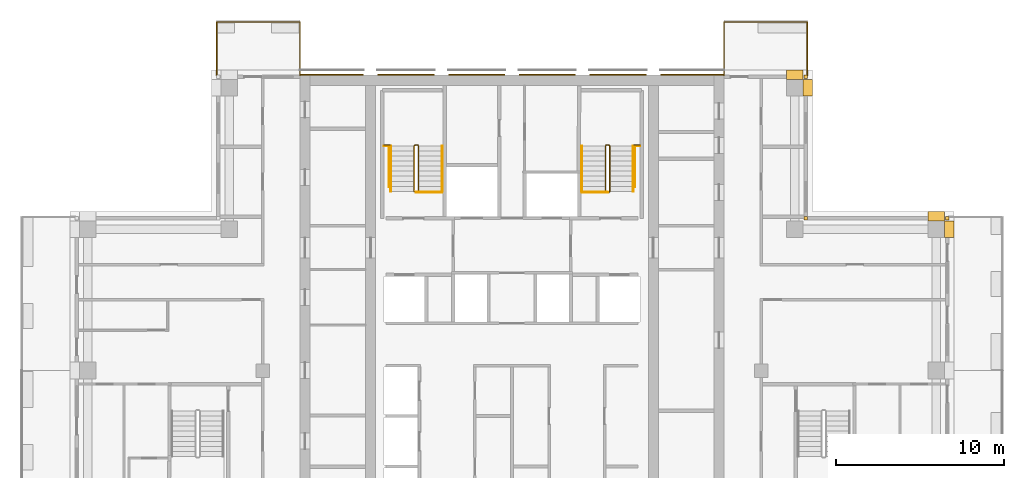
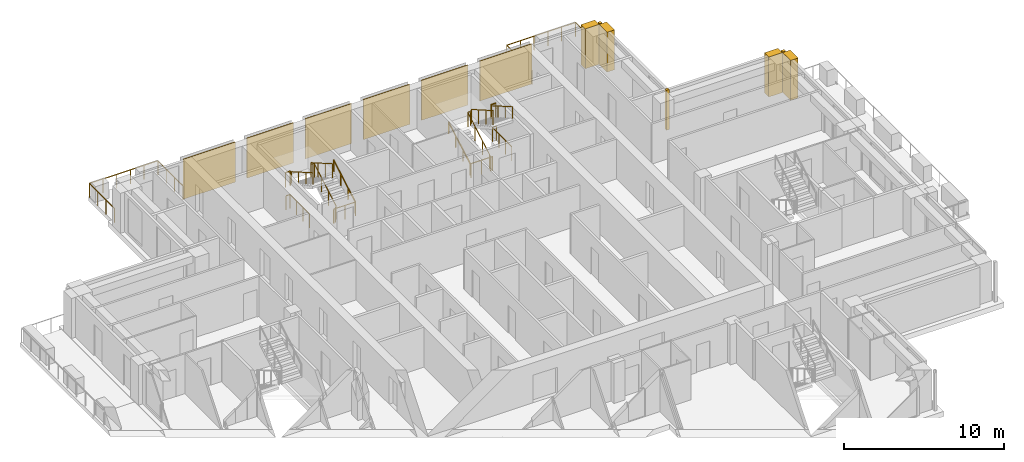
# One storey, part 16 of 17: 14 railings, 13 coverings.
"""IFC4 building model written with IfcOpenShell, lengths in metres."""

from ifc_helpers import new_model, si_unit, direction, frame, origin, origin_2d, place, context, subcontext, project, spatial, polyline, rectangle, outline, extrude, material, type_object, element, save


model = new_model("IFC4")

# Units and contexts
model_context = context("Model", 3, precision=1e-05, world=origin(), true_north=direction((0.0, 1.0)))
body_context = subcontext(model_context, "Body", "Model", "MODEL_VIEW")
ifc_project = project(units=[si_unit("LENGTHUNIT", "METRE"), si_unit("AREAUNIT", "SQUARE_METRE"), si_unit("VOLUMEUNIT", "CUBIC_METRE"), si_unit("PLANEANGLEUNIT", "RADIAN"), si_unit("MASSUNIT", "GRAM", prefix="KILO")], contexts=[model_context])

# Site, building, storey
site_placement = place(None, origin())
site = spatial("IfcSite", under=ifc_project, at=site_placement, CompositionType="ELEMENT")
building_placement = place(site_placement, origin())
building = spatial("IfcBuilding", under=site, at=building_placement, Name="Vermilion Ogive Tower", CompositionType="ELEMENT")
storey_placement = place(building_placement, frame((0.0, 0.0, 196.25)))
storey = spatial("IfcBuildingStorey", under=building, at=storey_placement, Name="L51", CompositionType="ELEMENT", Elevation=196.25)

# Railings
ifc_material_1 = material(Name="Stainless steel and glass", Category="steel")
railing_type_1 = type_object("IfcRailingType", Name="Balcony guard", PredefinedType="GUARDRAIL", material=ifc_material_1)
railing_1_placement = place(storey_placement, frame((17.550048828125, 21.75, -0.0400390625)))
element("IfcRailing", 1, at=railing_1_placement, inside=storey, type_object=railing_type_1, Name="Guard N101", PredefinedType="GUARDRAIL", context=body_context, shape_type="SweptSolid", body=[
    extrude(rectangle(XDim=0.048095703125, YDim=0.048095703125, at=origin_2d()), frame((0.0, 0.0, 1.076171875), z_axis=(0.0, 1.0, 0.0), x_axis=(-1.0, 0.0, 0.0)), (0.0, 0.0, 1.0), 3.159912109375),
    extrude(rectangle(XDim=0.048095703125, YDim=0.048095703125, at=origin_2d()), frame((0.0, 3.159912109375, 1.076171875), z_axis=(-1.0, 0.0, 0.0), x_axis=(0.0, -1.0, 0.0)), (0.0, 0.0, 1.0), 4.949951171875),
    extrude(rectangle(XDim=0.048095703125, YDim=0.048095703125, at=origin_2d()), frame((-4.949951171875, 3.159912109375, 1.076171875), z_axis=(0.0, -1.0, 0.0), x_axis=(1.0, 0.0, 0.0)), (0.0, 0.0, 1.0), 3.159912109375),
    extrude(rectangle(XDim=0.0419921875, YDim=0.0419921875, at=origin_2d()), origin(), (0.0, 0.0, 1.0), 1.052001953125),
    extrude(rectangle(XDim=0.0419921875, YDim=0.0419921875, at=origin_2d()), frame((0.0, 1.05322265625, 0.0)), (0.0, 0.0, 1.0), 1.052001953125),
    extrude(rectangle(XDim=0.0419921875, YDim=0.0419921875, at=origin_2d()), frame((0.0, 2.106689453125, 0.0)), (0.0, 0.0, 1.0), 1.052001953125),
    extrude(rectangle(XDim=0.0419921875, YDim=0.0419921875, at=origin_2d()), frame((0.0, 3.159912109375, 0.0)), (0.0, 0.0, 1.0), 1.052001953125),
    extrude(rectangle(XDim=0.0419921875, YDim=0.0419921875, at=origin_2d()), frame((-0.989990234375, 3.159912109375, 0.0)), (0.0, 0.0, 1.0), 1.052001953125),
    extrude(rectangle(XDim=0.0419921875, YDim=0.0419921875, at=origin_2d()), frame((-1.97998046875, 3.159912109375, 0.0)), (0.0, 0.0, 1.0), 1.052001953125),
    extrude(rectangle(XDim=0.0419921875, YDim=0.0419921875, at=origin_2d()), frame((-2.969970703125, 3.159912109375, 0.0)), (0.0, 0.0, 1.0), 1.052001953125),
    extrude(rectangle(XDim=0.0419921875, YDim=0.0419921875, at=origin_2d()), frame((-3.9599609375, 3.159912109375, 0.0)), (0.0, 0.0, 1.0), 1.052001953125),
    extrude(rectangle(XDim=0.0419921875, YDim=0.0419921875, at=origin_2d()), frame((-4.949951171875, 3.159912109375, 0.0)), (0.0, 0.0, 1.0), 1.052001953125),
    extrude(rectangle(XDim=0.0419921875, YDim=0.0419921875, at=origin_2d()), frame((-4.949951171875, 2.106689453125, 0.0)), (0.0, 0.0, 1.0), 1.052001953125),
    extrude(rectangle(XDim=0.0419921875, YDim=0.0419921875, at=origin_2d()), frame((-4.949951171875, 1.05322265625, 0.0)), (0.0, 0.0, 1.0), 1.052001953125),
    extrude(rectangle(XDim=0.0419921875, YDim=0.0419921875, at=origin_2d()), frame((-4.949951171875, 0.0, 0.0)), (0.0, 0.0, 1.0), 1.052001953125),
])
railing_2_placement = place(storey_placement, frame((-12.60009765625, 21.75, -0.0400390625)))
element("IfcRailing", 2, at=railing_2_placement, inside=storey, type_object=railing_type_1, Name="Guard N201", PredefinedType="GUARDRAIL", context=body_context, shape_type="SweptSolid", body=[
    extrude(rectangle(XDim=0.048095703125, YDim=0.048095703125, at=origin_2d()), frame((0.0, 0.0, 1.076171875), z_axis=(0.0, 1.0, 0.0), x_axis=(-1.0, 0.0, 0.0)), (0.0, 0.0, 1.0), 3.159912109375),
    extrude(rectangle(XDim=0.048095703125, YDim=0.048095703125, at=origin_2d()), frame((0.0, 3.159912109375, 1.076171875), z_axis=(-1.0, 0.0, 0.0), x_axis=(0.0, -1.0, 0.0)), (0.0, 0.0, 1.0), 4.949951171875),
    extrude(rectangle(XDim=0.048095703125, YDim=0.048095703125, at=origin_2d()), frame((-4.949951171875, 3.159912109375, 1.076171875), z_axis=(0.0, -1.0, 0.0), x_axis=(1.0, 0.0, 0.0)), (0.0, 0.0, 1.0), 3.159912109375),
    extrude(rectangle(XDim=0.0419921875, YDim=0.0419921875, at=origin_2d()), origin(), (0.0, 0.0, 1.0), 1.052001953125),
    extrude(rectangle(XDim=0.0419921875, YDim=0.0419921875, at=origin_2d()), frame((0.0, 1.05322265625, 0.0)), (0.0, 0.0, 1.0), 1.052001953125),
    extrude(rectangle(XDim=0.0419921875, YDim=0.0419921875, at=origin_2d()), frame((0.0, 2.106689453125, 0.0)), (0.0, 0.0, 1.0), 1.052001953125),
    extrude(rectangle(XDim=0.0419921875, YDim=0.0419921875, at=origin_2d()), frame((0.0, 3.159912109375, 0.0)), (0.0, 0.0, 1.0), 1.052001953125),
    extrude(rectangle(XDim=0.0419921875, YDim=0.0419921875, at=origin_2d()), frame((-0.989990234375, 3.159912109375, 0.0)), (0.0, 0.0, 1.0), 1.052001953125),
    extrude(rectangle(XDim=0.0419921875, YDim=0.0419921875, at=origin_2d()), frame((-1.97998046875, 3.159912109375, 0.0)), (0.0, 0.0, 1.0), 1.052001953125),
    extrude(rectangle(XDim=0.0419921875, YDim=0.0419921875, at=origin_2d()), frame((-2.969970703125, 3.159912109375, 0.0)), (0.0, 0.0, 1.0), 1.052001953125),
    extrude(rectangle(XDim=0.0419921875, YDim=0.0419921875, at=origin_2d()), frame((-3.9599609375, 3.159912109375, 0.0)), (0.0, 0.0, 1.0), 1.052001953125),
    extrude(rectangle(XDim=0.0419921875, YDim=0.0419921875, at=origin_2d()), frame((-4.949951171875, 3.159912109375, 0.0)), (0.0, 0.0, 1.0), 1.052001953125),
    extrude(rectangle(XDim=0.0419921875, YDim=0.0419921875, at=origin_2d()), frame((-4.949951171875, 2.106689453125, 0.0)), (0.0, 0.0, 1.0), 1.052001953125),
    extrude(rectangle(XDim=0.0419921875, YDim=0.0419921875, at=origin_2d()), frame((-4.949951171875, 1.05322265625, 0.0)), (0.0, 0.0, 1.0), 1.052001953125),
    extrude(rectangle(XDim=0.0419921875, YDim=0.0419921875, at=origin_2d()), frame((-4.949951171875, 0.0, 0.0)), (0.0, 0.0, 1.0), 1.052001953125),
])
ifc_material_2 = material(Name="Steel S355 painted", Category="steel")
railing_type_2 = type_object("IfcRailingType", Name="Stair guard 1100", PredefinedType="GUARDRAIL", material=ifc_material_2)
railing_3_placement = place(storey_placement, frame((-5.75, 14.800048828125, 0.0)))
element("IfcRailing", 3, at=railing_3_placement, inside=storey, type_object=railing_type_2, Name="L51 ST1 stair guard 4", PredefinedType="GUARDRAIL", context=body_context, shape_type="SweptSolid", body=[
    extrude(rectangle(XDim=0.048095703125, YDim=0.048095703125, at=origin_2d()), frame((0.0, 0.0, 1.076171875), z_axis=(1.0, 0.0, 0.0), x_axis=(0.0, 1.0, 0.0)), (0.0, 0.0, 1.0), 0.14990234375),
    extrude(rectangle(XDim=0.048095703125, YDim=0.048095703125, at=origin_2d()), frame((0.14990234375, 0.0, 1.076171875), z_axis=(0.268277960024, 0.268277960024, 0.925231793839), x_axis=(-0.707106781187, 0.707106781187, 0.0)), (0.0, 0.0, 1.0), 0.1865234375),
    extrude(rectangle(XDim=0.048095703125, YDim=0.048095703125, at=origin_2d()), frame((0.199951171875, 0.050048828125, 1.24853515625), z_axis=(0.0, 0.866903762492, 0.498475542607), x_axis=(-1.0, 0.0, 0.0)), (0.0, 0.0, 1.0), 3.114501953125),
    extrude(rectangle(XDim=0.048095703125, YDim=0.048095703125, at=origin_2d()), frame((0.199951171875, 2.75, 2.80126953125), z_axis=(-0.707106781187, 0.707106781187, 0.0), x_axis=(-0.707106781187, -0.707106781187, 0.0)), (0.0, 0.0, 1.0), 0.07080078125),
    extrude(rectangle(XDim=0.048095703125, YDim=0.048095703125, at=origin_2d()), frame((0.14990234375, 2.800048828125, 2.80126953125), z_axis=(-1.0, 0.0, 0.0), x_axis=(0.0, -1.0, 0.0)), (0.0, 0.0, 1.0), 0.14990234375),
    extrude(rectangle(XDim=0.048095703125, YDim=0.048095703125, at=origin_2d()), frame((0.0, 2.800048828125, 2.80126953125), z_axis=(-0.268603158521, -0.268603158521, 0.925043072762), x_axis=(0.707106781187, -0.707106781187, 0.0)), (0.0, 0.0, 1.0), 0.186279296875),
    extrude(rectangle(XDim=0.048095703125, YDim=0.048095703125, at=origin_2d()), frame((-0.050048828125, 2.75, 2.9736328125), z_axis=(0.0, -0.866903762492, 0.498475542607), x_axis=(1.0, 0.0, 0.0)), (0.0, 0.0, 1.0), 3.114501953125),
    extrude(rectangle(XDim=0.0419921875, YDim=0.0419921875, at=origin_2d()), origin(), (0.0, 0.0, 1.0), 1.052001953125),
    extrude(rectangle(XDim=0.0419921875, YDim=0.0419921875, at=origin_2d()), frame((0.14990234375, 0.0, 0.0)), (0.0, 0.0, 1.0), 1.052001953125),
    extrude(rectangle(XDim=0.0419921875, YDim=0.0419921875, at=origin_2d()), frame((0.199951171875, 0.050048828125, 0.172607421875)), (0.0, 0.0, 1.0), 1.052001953125),
    extrude(rectangle(XDim=0.0419921875, YDim=0.0419921875, at=origin_2d()), frame((0.199951171875, 0.949951171875, 0.690185546875)), (0.0, 0.0, 1.0), 1.052001953125),
    extrude(rectangle(XDim=0.0419921875, YDim=0.0419921875, at=origin_2d()), frame((0.199951171875, 1.85009765625, 1.20751953125)), (0.0, 0.0, 1.0), 1.052001953125),
    extrude(rectangle(XDim=0.0419921875, YDim=0.0419921875, at=origin_2d()), frame((0.199951171875, 2.75, 1.72509765625)), (0.0, 0.0, 1.0), 1.052001953125),
    extrude(rectangle(XDim=0.0419921875, YDim=0.0419921875, at=origin_2d()), frame((0.14990234375, 2.800048828125, 1.72509765625)), (0.0, 0.0, 1.0), 1.052001953125),
    extrude(rectangle(XDim=0.0419921875, YDim=0.0419921875, at=origin_2d()), frame((0.0, 2.800048828125, 1.72509765625)), (0.0, 0.0, 1.0), 1.052001953125),
    extrude(rectangle(XDim=0.0419921875, YDim=0.0419921875, at=origin_2d()), frame((-0.050048828125, 2.75, 1.8974609375)), (0.0, 0.0, 1.0), 1.052001953125),
    extrude(rectangle(XDim=0.0419921875, YDim=0.0419921875, at=origin_2d()), frame((-0.050048828125, 1.85009765625, 2.4150390625)), (0.0, 0.0, 1.0), 1.052001953125),
    extrude(rectangle(XDim=0.0419921875, YDim=0.0419921875, at=origin_2d()), frame((-0.050048828125, 0.949951171875, 2.932373046875)), (0.0, 0.0, 1.0), 1.052001953125),
    extrude(rectangle(XDim=0.0419921875, YDim=0.0419921875, at=origin_2d()), frame((-0.050048828125, 0.050048828125, 3.449951171875)), (0.0, 0.0, 1.0), 1.052001953125),
])
railing_4_placement = place(storey_placement, frame((5.75, 14.800048828125, 0.0)))
element("IfcRailing", 4, at=railing_4_placement, inside=storey, type_object=railing_type_2, Name="L51 ST2 stair guard 4", PredefinedType="GUARDRAIL", context=body_context, shape_type="SweptSolid", body=[
    extrude(rectangle(XDim=0.048095703125, YDim=0.048095703125, at=origin_2d()), frame((0.0, 0.0, 1.076171875), z_axis=(-1.0, 0.0, 0.0), x_axis=(0.0, -1.0, 0.0)), (0.0, 0.0, 1.0), 0.14990234375),
    extrude(rectangle(XDim=0.048095703125, YDim=0.048095703125, at=origin_2d()), frame((-0.14990234375, 0.0, 1.076171875), z_axis=(-0.268277960024, 0.268277960024, 0.925231793839), x_axis=(-0.707106781187, -0.707106781187, 0.0)), (0.0, 0.0, 1.0), 0.1865234375),
    extrude(rectangle(XDim=0.048095703125, YDim=0.048095703125, at=origin_2d()), frame((-0.199951171875, 0.050048828125, 1.24853515625), z_axis=(0.0, 0.866903762492, 0.498475542607), x_axis=(-1.0, 0.0, 0.0)), (0.0, 0.0, 1.0), 3.114501953125),
    extrude(rectangle(XDim=0.048095703125, YDim=0.048095703125, at=origin_2d()), frame((-0.199951171875, 2.75, 2.80126953125), z_axis=(0.707106781187, 0.707106781187, 0.0), x_axis=(-0.707106781187, 0.707106781187, 0.0)), (0.0, 0.0, 1.0), 0.07080078125),
    extrude(rectangle(XDim=0.048095703125, YDim=0.048095703125, at=origin_2d()), frame((-0.14990234375, 2.800048828125, 2.80126953125), z_axis=(1.0, 0.0, 0.0), x_axis=(0.0, 1.0, 0.0)), (0.0, 0.0, 1.0), 0.14990234375),
    extrude(rectangle(XDim=0.048095703125, YDim=0.048095703125, at=origin_2d()), frame((0.0, 2.800048828125, 2.80126953125), z_axis=(0.268603158521, -0.268603158521, 0.925043072762), x_axis=(0.707106781187, 0.707106781187, 0.0)), (0.0, 0.0, 1.0), 0.186279296875),
    extrude(rectangle(XDim=0.048095703125, YDim=0.048095703125, at=origin_2d()), frame((0.050048828125, 2.75, 2.9736328125), z_axis=(0.0, -0.866903762492, 0.498475542607), x_axis=(1.0, 0.0, 0.0)), (0.0, 0.0, 1.0), 3.114501953125),
    extrude(rectangle(XDim=0.0419921875, YDim=0.0419921875, at=origin_2d()), origin(), (0.0, 0.0, 1.0), 1.052001953125),
    extrude(rectangle(XDim=0.0419921875, YDim=0.0419921875, at=origin_2d()), frame((-0.14990234375, 0.0, 0.0)), (0.0, 0.0, 1.0), 1.052001953125),
    extrude(rectangle(XDim=0.0419921875, YDim=0.0419921875, at=origin_2d()), frame((-0.199951171875, 0.050048828125, 0.172607421875)), (0.0, 0.0, 1.0), 1.052001953125),
    extrude(rectangle(XDim=0.0419921875, YDim=0.0419921875, at=origin_2d()), frame((-0.199951171875, 0.949951171875, 0.690185546875)), (0.0, 0.0, 1.0), 1.052001953125),
    extrude(rectangle(XDim=0.0419921875, YDim=0.0419921875, at=origin_2d()), frame((-0.199951171875, 1.85009765625, 1.20751953125)), (0.0, 0.0, 1.0), 1.052001953125),
    extrude(rectangle(XDim=0.0419921875, YDim=0.0419921875, at=origin_2d()), frame((-0.199951171875, 2.75, 1.72509765625)), (0.0, 0.0, 1.0), 1.052001953125),
    extrude(rectangle(XDim=0.0419921875, YDim=0.0419921875, at=origin_2d()), frame((-0.14990234375, 2.800048828125, 1.72509765625)), (0.0, 0.0, 1.0), 1.052001953125),
    extrude(rectangle(XDim=0.0419921875, YDim=0.0419921875, at=origin_2d()), frame((0.0, 2.800048828125, 1.72509765625)), (0.0, 0.0, 1.0), 1.052001953125),
    extrude(rectangle(XDim=0.0419921875, YDim=0.0419921875, at=origin_2d()), frame((0.050048828125, 2.75, 1.8974609375)), (0.0, 0.0, 1.0), 1.052001953125),
    extrude(rectangle(XDim=0.0419921875, YDim=0.0419921875, at=origin_2d()), frame((0.050048828125, 1.85009765625, 2.4150390625)), (0.0, 0.0, 1.0), 1.052001953125),
    extrude(rectangle(XDim=0.0419921875, YDim=0.0419921875, at=origin_2d()), frame((0.050048828125, 0.949951171875, 2.932373046875)), (0.0, 0.0, 1.0), 1.052001953125),
    extrude(rectangle(XDim=0.0419921875, YDim=0.0419921875, at=origin_2d()), frame((0.050048828125, 0.050048828125, 3.449951171875)), (0.0, 0.0, 1.0), 1.052001953125),
])
for number, where, name in (
    (5, (-7.60009765625, 17.60009765625, 1.72509765625), "L51 landing guard"),
    (6, (7.25, 17.60009765625, 1.72509765625), "L51 landing guard"),
):
    element("IfcRailing", number, at=place(storey_placement, frame(where)), inside=storey, type_object=railing_type_2, Name=name, PredefinedType="GUARDRAIL", context=body_context, shape_type="SweptSolid", body=[
        extrude(rectangle(XDim=0.048095703125, YDim=0.048095703125, at=origin_2d()), frame((0.0, 0.0, 1.076171875), z_axis=(1.0, 0.0, 0.0), x_axis=(0.0, 1.0, 0.0)), (0.0, 0.0, 1.0), 0.35009765625),
        extrude(rectangle(XDim=0.0419921875, YDim=0.0419921875, at=origin_2d()), origin(), (0.0, 0.0, 1.0), 1.052001953125),
        extrude(rectangle(XDim=0.0419921875, YDim=0.0419921875, at=origin_2d()), frame((0.35009765625, 0.0, 0.0)), (0.0, 0.0, 1.0), 1.052001953125),
    ])
railing_5_placement = place(storey_placement, frame((-4.159912109375, 14.7900390625, 0.0)))
element("IfcRailing", 7, at=railing_5_placement, inside=storey, type_object=railing_type_2, Name="L51 stair opening guard", PredefinedType="GUARDRAIL", context=body_context, shape_type="SweptSolid", body=[
    extrude(rectangle(XDim=0.048095703125, YDim=0.048095703125, at=origin_2d()), frame((0.0, 0.0, 1.076171875), z_axis=(-1.0, 0.0, 0.0), x_axis=(0.0, -1.0, 0.0)), (0.0, 0.0, 1.0), 1.5400390625),
    extrude(rectangle(XDim=0.0419921875, YDim=0.0419921875, at=origin_2d()), origin(), (0.0, 0.0, 1.0), 1.052001953125),
    extrude(rectangle(XDim=0.0419921875, YDim=0.0419921875, at=origin_2d()), frame((-0.77001953125, 0.0, 0.0)), (0.0, 0.0, 1.0), 1.052001953125),
    extrude(rectangle(XDim=0.0419921875, YDim=0.0419921875, at=origin_2d()), frame((-1.5400390625, 0.0, 0.0)), (0.0, 0.0, 1.0), 1.052001953125),
])
railing_6_placement = place(storey_placement, frame((-7.3095703125, 15.11865234375, 0.0)))
element("IfcRailing", 8, at=railing_6_placement, inside=storey, type_object=railing_type_2, Name="L51 stair opening guard", PredefinedType="GUARDRAIL", context=body_context, shape_type="SweptSolid", body=[
    extrude(rectangle(XDim=0.048095703125, YDim=0.048095703125, at=origin_2d()), frame((0.0, 0.0, 1.076171875), z_axis=(0.0, 1.0, 0.0), x_axis=(-1.0, 0.0, 0.0)), (0.0, 0.0, 1.0), 2.42431640625),
    extrude(rectangle(XDim=0.048095703125, YDim=0.048095703125, at=origin_2d()), frame((0.0, 2.42431640625, 1.076171875), z_axis=(-1.0, 0.0, 0.0), x_axis=(0.0, -1.0, 0.0)), (0.0, 0.0, 1.0), 0.2900390625),
    extrude(rectangle(XDim=0.0419921875, YDim=0.0419921875, at=origin_2d()), origin(), (0.0, 0.0, 1.0), 1.052001953125),
    extrude(rectangle(XDim=0.0419921875, YDim=0.0419921875, at=origin_2d()), frame((0.0, 0.80810546875, 0.0)), (0.0, 0.0, 1.0), 1.052001953125),
    extrude(rectangle(XDim=0.0419921875, YDim=0.0419921875, at=origin_2d()), frame((0.0, 1.6162109375, 0.0)), (0.0, 0.0, 1.0), 1.052001953125),
    extrude(rectangle(XDim=0.0419921875, YDim=0.0419921875, at=origin_2d()), frame((0.0, 2.42431640625, 0.0)), (0.0, 0.0, 1.0), 1.052001953125),
    extrude(rectangle(XDim=0.0419921875, YDim=0.0419921875, at=origin_2d()), frame((-0.2900390625, 2.42431640625, 0.0)), (0.0, 0.0, 1.0), 1.052001953125),
])
railing_7_placement = place(storey_placement, frame((7.599609375, 17.54296875, 0.0)))
element("IfcRailing", 9, at=railing_7_placement, inside=storey, type_object=railing_type_2, Name="L51 stair opening guard", PredefinedType="GUARDRAIL", context=body_context, shape_type="SweptSolid", body=[
    extrude(rectangle(XDim=0.048095703125, YDim=0.048095703125, at=origin_2d()), frame((0.0, 0.0, 1.076171875), z_axis=(-1.0, 0.0, 0.0), x_axis=(0.0, -1.0, 0.0)), (0.0, 0.0, 1.0), 0.2900390625),
    extrude(rectangle(XDim=0.048095703125, YDim=0.048095703125, at=origin_2d()), frame((-0.2900390625, 0.0, 1.076171875), z_axis=(0.0, -1.0, 0.0), x_axis=(1.0, 0.0, 0.0)), (0.0, 0.0, 1.0), 2.42431640625),
    extrude(rectangle(XDim=0.0419921875, YDim=0.0419921875, at=origin_2d()), origin(), (0.0, 0.0, 1.0), 1.052001953125),
    extrude(rectangle(XDim=0.0419921875, YDim=0.0419921875, at=origin_2d()), frame((-0.2900390625, 0.0, 0.0)), (0.0, 0.0, 1.0), 1.052001953125),
    extrude(rectangle(XDim=0.0419921875, YDim=0.0419921875, at=origin_2d()), frame((-0.2900390625, -0.80810546875, 0.0)), (0.0, 0.0, 1.0), 1.052001953125),
    extrude(rectangle(XDim=0.0419921875, YDim=0.0419921875, at=origin_2d()), frame((-0.2900390625, -1.6162109375, 0.0)), (0.0, 0.0, 1.0), 1.052001953125),
    extrude(rectangle(XDim=0.0419921875, YDim=0.0419921875, at=origin_2d()), frame((-0.2900390625, -2.42431640625, 0.0)), (0.0, 0.0, 1.0), 1.052001953125),
])
railing_8_placement = place(storey_placement, frame((5.699951171875, 14.7900390625, 0.0)))
element("IfcRailing", 10, at=railing_8_placement, inside=storey, type_object=railing_type_2, Name="L51 stair opening guard", PredefinedType="GUARDRAIL", context=body_context, shape_type="SweptSolid", body=[
    extrude(rectangle(XDim=0.048095703125, YDim=0.048095703125, at=origin_2d()), frame((0.0, 0.0, 1.076171875), z_axis=(-1.0, 0.0, 0.0), x_axis=(0.0, -1.0, 0.0)), (0.0, 0.0, 1.0), 1.5400390625),
    extrude(rectangle(XDim=0.0419921875, YDim=0.0419921875, at=origin_2d()), origin(), (0.0, 0.0, 1.0), 1.052001953125),
    extrude(rectangle(XDim=0.0419921875, YDim=0.0419921875, at=origin_2d()), frame((-0.77001953125, 0.0, 0.0)), (0.0, 0.0, 1.0), 1.052001953125),
    extrude(rectangle(XDim=0.0419921875, YDim=0.0419921875, at=origin_2d()), frame((-1.5400390625, 0.0, 0.0)), (0.0, 0.0, 1.0), 1.052001953125),
])
ifc_material_3 = material(Name="Stainless steel", Category="steel")
railing_type_3 = type_object("IfcRailingType", Name="Stair handrail 900", PredefinedType="HANDRAIL", material=ifc_material_3)
railing_9_placement = place(storey_placement, frame((-4.14990234375, 14.85009765625, 0.172607421875)))
element("IfcRailing", 11, at=railing_9_placement, inside=storey, type_object=railing_type_3, Name="L51 ST1 stair handrail 1", PredefinedType="HANDRAIL", context=body_context, shape_type="SweptSolid", body=[
    extrude(rectangle(XDim=0.048095703125, YDim=0.048095703125, at=origin_2d()), frame((0.0, 0.0, 0.8759765625), z_axis=(0.0, 0.866903762492, 0.498475542607), x_axis=(-1.0, 0.0, 0.0)), (0.0, 0.0, 1.0), 3.114501953125),
    extrude(rectangle(XDim=0.0419921875, YDim=0.0419921875, at=origin_2d()), origin(), (0.0, 0.0, 1.0), 0.851806640625),
    extrude(rectangle(XDim=0.0419921875, YDim=0.0419921875, at=origin_2d()), frame((0.0, 0.89990234375, 0.517578125)), (0.0, 0.0, 1.0), 0.851806640625),
    extrude(rectangle(XDim=0.0419921875, YDim=0.0419921875, at=origin_2d()), frame((0.0, 1.800048828125, 1.034912109375)), (0.0, 0.0, 1.0), 0.851806640625),
    extrude(rectangle(XDim=0.0419921875, YDim=0.0419921875, at=origin_2d()), frame((0.0, 2.699951171875, 1.552490234375)), (0.0, 0.0, 1.0), 0.851806640625),
])
railing_10_placement = place(storey_placement, frame((-7.199951171875, 17.550048828125, 1.8974609375)))
element("IfcRailing", 12, at=railing_10_placement, inside=storey, type_object=railing_type_3, Name="L51 ST1 stair handrail 2", PredefinedType="HANDRAIL", context=body_context, shape_type="SweptSolid", body=[
    extrude(rectangle(XDim=0.048095703125, YDim=0.048095703125, at=origin_2d()), frame((0.0, 0.0, 0.8759765625), z_axis=(0.0, -0.866903762492, 0.498475542607), x_axis=(1.0, 0.0, 0.0)), (0.0, 0.0, 1.0), 3.114501953125),
    extrude(rectangle(XDim=0.0419921875, YDim=0.0419921875, at=origin_2d()), origin(), (0.0, 0.0, 1.0), 0.851806640625),
    extrude(rectangle(XDim=0.0419921875, YDim=0.0419921875, at=origin_2d()), frame((0.0, -0.89990234375, 0.517578125)), (0.0, 0.0, 1.0), 0.851806640625),
    extrude(rectangle(XDim=0.0419921875, YDim=0.0419921875, at=origin_2d()), frame((0.0, -1.800048828125, 1.034912109375)), (0.0, 0.0, 1.0), 0.851806640625),
    extrude(rectangle(XDim=0.0419921875, YDim=0.0419921875, at=origin_2d()), frame((0.0, -2.699951171875, 1.552490234375)), (0.0, 0.0, 1.0), 0.851806640625),
])
railing_11_placement = place(storey_placement, frame((4.14990234375, 14.85009765625, 0.172607421875)))
element("IfcRailing", 13, at=railing_11_placement, inside=storey, type_object=railing_type_3, Name="L51 ST2 stair handrail 1", PredefinedType="HANDRAIL", context=body_context, shape_type="SweptSolid", body=[
    extrude(rectangle(XDim=0.048095703125, YDim=0.048095703125, at=origin_2d()), frame((0.0, 0.0, 0.8759765625), z_axis=(0.0, 0.866903762492, 0.498475542607), x_axis=(-1.0, 0.0, 0.0)), (0.0, 0.0, 1.0), 3.114501953125),
    extrude(rectangle(XDim=0.0419921875, YDim=0.0419921875, at=origin_2d()), origin(), (0.0, 0.0, 1.0), 0.851806640625),
    extrude(rectangle(XDim=0.0419921875, YDim=0.0419921875, at=origin_2d()), frame((0.0, 0.89990234375, 0.517578125)), (0.0, 0.0, 1.0), 0.851806640625),
    extrude(rectangle(XDim=0.0419921875, YDim=0.0419921875, at=origin_2d()), frame((0.0, 1.800048828125, 1.034912109375)), (0.0, 0.0, 1.0), 0.851806640625),
    extrude(rectangle(XDim=0.0419921875, YDim=0.0419921875, at=origin_2d()), frame((0.0, 2.699951171875, 1.552490234375)), (0.0, 0.0, 1.0), 0.851806640625),
])
railing_12_placement = place(storey_placement, frame((7.199951171875, 17.550048828125, 1.8974609375)))
element("IfcRailing", 14, at=railing_12_placement, inside=storey, type_object=railing_type_3, Name="L51 ST2 stair handrail 2", PredefinedType="HANDRAIL", context=body_context, shape_type="SweptSolid", body=[
    extrude(rectangle(XDim=0.048095703125, YDim=0.048095703125, at=origin_2d()), frame((0.0, 0.0, 0.8759765625), z_axis=(0.0, -0.866903762492, 0.498475542607), x_axis=(1.0, 0.0, 0.0)), (0.0, 0.0, 1.0), 3.114501953125),
    extrude(rectangle(XDim=0.0419921875, YDim=0.0419921875, at=origin_2d()), origin(), (0.0, 0.0, 1.0), 0.851806640625),
    extrude(rectangle(XDim=0.0419921875, YDim=0.0419921875, at=origin_2d()), frame((0.0, -0.89990234375, 0.517578125)), (0.0, 0.0, 1.0), 0.851806640625),
    extrude(rectangle(XDim=0.0419921875, YDim=0.0419921875, at=origin_2d()), frame((0.0, -1.800048828125, 1.034912109375)), (0.0, 0.0, 1.0), 0.851806640625),
    extrude(rectangle(XDim=0.0419921875, YDim=0.0419921875, at=origin_2d()), frame((0.0, -2.699951171875, 1.552490234375)), (0.0, 0.0, 1.0), 0.851806640625),
])

# Coverings
ifc_material_4 = material(Name="Stone cladding", Category="masonry")
covering_type_1 = type_object("IfcCoveringType", Name="Stone cladding panel", PredefinedType="CLADDING", material=ifc_material_4)
covering_1_placement = place(storey_placement, origin())
element("IfcCovering", 15, at=covering_1_placement, inside=storey, type_object=covering_type_1, Name="Stone cladding panel N1", PredefinedType="CLADDING", context=body_context, shape_type="SweptSolid", body=[
    extrude(outline(polyline([(-12.590087890625, 21.75), (-8.830078125, 21.75), (-8.830078125, 21.81005859375), (-12.590087890625, 21.81005859375), (-12.590087890625, 21.75)])), origin(), (0.0, 0.0, 1.0), 3.050048828125),
])
covering_2_placement = place(storey_placement, origin())
element("IfcCovering", 16, at=covering_2_placement, inside=storey, type_object=covering_type_1, Name="Stone cladding panel N2", PredefinedType="CLADDING", context=body_context, shape_type="SweptSolid", body=[
    extrude(outline(polyline([(-7.969970703125, 21.75), (-4.6298828125, 21.75), (-4.6298828125, 21.81005859375), (-7.969970703125, 21.81005859375), (-7.969970703125, 21.75)])), origin(), (0.0, 0.0, 1.0), 3.050048828125),
])
covering_3_placement = place(storey_placement, origin())
element("IfcCovering", 17, at=covering_3_placement, inside=storey, type_object=covering_type_1, Name="Stone cladding panel N3", PredefinedType="CLADDING", context=body_context, shape_type="SweptSolid", body=[
    extrude(outline(polyline([(-3.77001953125, 21.75), (-0.429931640625, 21.75), (-0.429931640625, 21.81005859375), (-3.77001953125, 21.81005859375), (-3.77001953125, 21.75)])), origin(), (0.0, 0.0, 1.0), 3.050048828125),
])
covering_4_placement = place(storey_placement, origin())
element("IfcCovering", 18, at=covering_4_placement, inside=storey, type_object=covering_type_1, Name="Stone cladding panel N4", PredefinedType="CLADDING", context=body_context, shape_type="SweptSolid", body=[
    extrude(outline(polyline([(0.429931640625, 21.75), (3.77001953125, 21.75), (3.77001953125, 21.81005859375), (0.429931640625, 21.81005859375), (0.429931640625, 21.75)])), origin(), (0.0, 0.0, 1.0), 3.050048828125),
])
covering_5_placement = place(storey_placement, origin())
element("IfcCovering", 19, at=covering_5_placement, inside=storey, type_object=covering_type_1, Name="Stone cladding panel N5", PredefinedType="CLADDING", context=body_context, shape_type="SweptSolid", body=[
    extrude(outline(polyline([(4.6298828125, 21.75), (7.969970703125, 21.75), (7.969970703125, 21.81005859375), (4.6298828125, 21.81005859375), (4.6298828125, 21.75)])), origin(), (0.0, 0.0, 1.0), 3.050048828125),
])
covering_6_placement = place(storey_placement, origin())
element("IfcCovering", 20, at=covering_6_placement, inside=storey, type_object=covering_type_1, Name="Stone cladding panel N6", PredefinedType="CLADDING", context=body_context, shape_type="SweptSolid", body=[
    extrude(outline(polyline([(8.830078125, 21.75), (12.590087890625, 21.75), (12.590087890625, 21.81005859375), (8.830078125, 21.81005859375), (8.830078125, 21.75)])), origin(), (0.0, 0.0, 1.0), 3.050048828125),
])
ifc_material_5 = material(Name="Stone cladding", Category="masonry")
covering_type_2 = type_object("IfcCoveringType", Name="Stone pier", PredefinedType="CLADDING", material=ifc_material_5)
covering_7_placement = place(storey_placement, origin())
element("IfcCovering", 21, at=covering_7_placement, inside=storey, type_object=covering_type_2, Name="Stone corner pier EE1", PredefinedType="CLADDING", context=body_context, shape_type="SweptSolid", body=[
    extrude(outline(polyline([(25.75, 13.14990234375), (25.75, 13.35009765625), (25.949951171875, 13.35009765625), (25.949951171875, 13.14990234375), (25.75, 13.14990234375)])), origin(), (0.0, 0.0, 1.0), 3.050048828125),
])
covering_8_placement = place(storey_placement, origin())
element("IfcCovering", 22, at=covering_8_placement, inside=storey, type_object=covering_type_2, Name="Stone corner pier X3E1", PredefinedType="CLADDING", context=body_context, shape_type="SweptSolid", body=[
    extrude(outline(polyline([(17.35009765625, 13.14990234375), (17.35009765625, 13.35009765625), (17.550048828125, 13.35009765625), (17.550048828125, 13.14990234375), (17.35009765625, 13.14990234375)])), origin(), (0.0, 0.0, 1.0), 3.050048828125),
])
covering_9_placement = place(storey_placement, origin())
element("IfcCovering", 23, at=covering_9_placement, inside=storey, type_object=covering_type_2, Name="Stone corner pier X4E1", PredefinedType="CLADDING", context=body_context, shape_type="SweptSolid", body=[
    extrude(outline(polyline([(17.35009765625, 21.550048828125), (17.35009765625, 21.75), (17.550048828125, 21.75), (17.550048828125, 21.550048828125), (17.35009765625, 21.550048828125)])), origin(), (0.0, 0.0, 1.0), 3.050048828125),
])
covering_10_placement = place(storey_placement, origin())
element("IfcCovering", 24, at=covering_10_placement, inside=storey, type_object=covering_type_2, Name="Stone pier P+0168+210X4", PredefinedType="CLADDING", context=body_context, shape_type="SweptSolid", body=[
    extrude(outline(polyline([(17.85009765625, 21.5), (17.85009765625, 20.5), (17.300048828125, 20.5), (17.300048828125, 21.5), (17.85009765625, 21.5)])), origin(), (0.0, 0.0, 1.0), 3.050048828125),
])
covering_11_placement = place(storey_placement, origin())
element("IfcCovering", 25, at=covering_11_placement, inside=storey, type_object=covering_type_2, Name="Stone pier P+0168+210N1", PredefinedType="CLADDING", context=body_context, shape_type="SweptSolid", body=[
    extrude(outline(polyline([(17.300048828125, 22.050048828125), (17.300048828125, 21.5), (16.300048828125, 21.5), (16.300048828125, 22.050048828125), (17.300048828125, 22.050048828125)])), origin(), (0.0, 0.0, 1.0), 3.050048828125),
])
covering_12_placement = place(storey_placement, origin())
element("IfcCovering", 26, at=covering_12_placement, inside=storey, type_object=covering_type_2, Name="Stone pier P+0252+126E", PredefinedType="CLADDING", context=body_context, shape_type="SweptSolid", body=[
    extrude(outline(polyline([(26.25, 13.10009765625), (26.25, 12.10009765625), (25.699951171875, 12.10009765625), (25.699951171875, 13.10009765625), (26.25, 13.10009765625)])), origin(), (0.0, 0.0, 1.0), 3.050048828125),
])
covering_13_placement = place(storey_placement, origin())
element("IfcCovering", 27, at=covering_13_placement, inside=storey, type_object=covering_type_2, Name="Stone pier P+0252+126X3", PredefinedType="CLADDING", context=body_context, shape_type="SweptSolid", body=[
    extrude(outline(polyline([(25.699951171875, 13.64990234375), (25.699951171875, 13.10009765625), (24.699951171875, 13.10009765625), (24.699951171875, 13.64990234375), (25.699951171875, 13.64990234375)])), origin(), (0.0, 0.0, 1.0), 3.050048828125),
])

save(model, "model.ifc")
